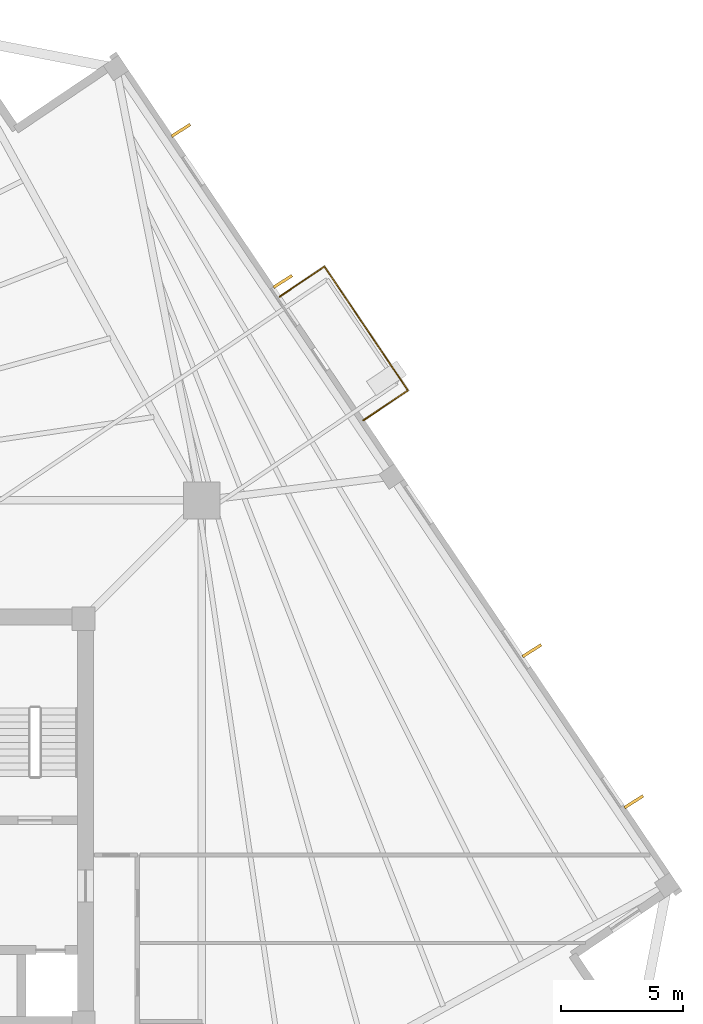
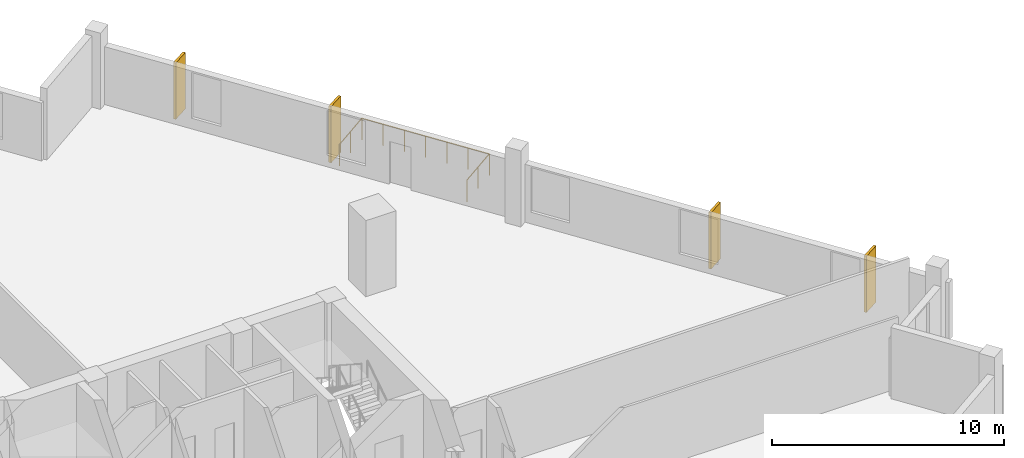
# One storey, part 9 of 9: 4 coverings, 3 railings.
"""IFC4 building model written with IfcOpenShell, lengths in metres."""

from ifc_helpers import new_model, si_unit, direction, frame, origin, origin_2d, place, context, subcontext, project, spatial, rectangle, circle, extrude, source, transform, mapped, material, layer, layer_set, type_object, element, save


model = new_model("IFC4")

# Units and contexts
model_context = context("Model", 3, precision=1e-05, world=origin(), true_north=direction((0.0, 1.0)))
body_context = subcontext(model_context, "Body", "Model", "MODEL_VIEW")
ifc_project = project(units=[si_unit("LENGTHUNIT", "METRE"), si_unit("AREAUNIT", "SQUARE_METRE"), si_unit("VOLUMEUNIT", "CUBIC_METRE"), si_unit("PLANEANGLEUNIT", "RADIAN"), si_unit("MASSUNIT", "GRAM", prefix="KILO"), si_unit("THERMODYNAMICTEMPERATUREUNIT", "KELVIN")], contexts=[model_context])

# Site, building, storey
site_placement = place(None, origin())
site = spatial("IfcSite", under=ifc_project, at=site_placement, CompositionType="ELEMENT")
building_placement = place(site_placement, origin())
building = spatial("IfcBuilding", under=site, at=building_placement, Name="Kosmvard Interchange Tower", CompositionType="ELEMENT")
storey_placement = place(building_placement, frame((0.0, 0.0, 156.39990234375)))
storey = spatial("IfcBuildingStorey", under=building, at=storey_placement, Name="L37", CompositionType="ELEMENT", Elevation=156.39990234375)

# Coverings
ifc_material_1 = material(Name="Architectural anodised aluminium", Category="aluminium")
ifc_layer = layer(ifc_material_1, 0.1201171875, Name="Architectural anodised aluminium")
ifc_layer_set = layer_set([ifc_layer], Name="Architectural anodised aluminium")
covering_type = type_object("IfcCoveringType", Name="Rotating Vertical Sun-Breaker Fin 900x120 Aluminium", PredefinedType="CLADDING", material=ifc_layer_set)
shared_shape_1 = source(origin(), body_context, "Body", "SweptSolid", [
    extrude(rectangle(XDim=0.89990234375, YDim=0.1201171875, at=origin_2d()), origin(), (0.0, 0.0, 1.0), 2.9599609375),
])
for number, where, z_axis, x_axis, name in (
    (1, (30.718994140625, 0.774169921875, 0.0400390625), (0.0, 0.0, 1.0), (0.844140835231, 0.536121488374, 0.0), "L37 Rotating Vertical Sun-Breaker Fin 05"),
    (2, (26.557861328125, 6.943115234375, 0.0400390625), (0.0, 0.0, 1.0), (0.844140835231, 0.536121488374, 0.0), "L37 Rotating Vertical Sun-Breaker Fin 06"),
    (3, (16.38623046875, 22.02294921875, 0.0400390625), (0.0, 0.0, 1.0), (0.844140835231, 0.536121488374, 0.0), "L37 Rotating Vertical Sun-Breaker Fin 07"),
    (4, (12.225341796875, 28.192138671875, 0.0400390625), (0.0, 0.0, 1.0), (0.844140835231, 0.536121488374, 0.0), "L37 Rotating Vertical Sun-Breaker Fin 08"),
):
    element("IfcCovering", number, at=place(storey_placement, frame(where, z_axis=z_axis, x_axis=x_axis)), inside=storey, type_object=covering_type, Name=name, PredefinedType="CLADDING", context=body_context, shape_type="MappedRepresentation", body=[
        mapped(shared_shape_1, transform((0.0, 0.0, 0.0), scale=1.0)),
    ])

# Railings
ifc_material_2 = material(Name="Steel S355", Category="steel")
railing_type = type_object("IfcRailingType", Name="Observation & Balcony Glass-Infill Balustrade 1150", PredefinedType="BALUSTRADE", material=ifc_material_2)
shared_shape_2 = source(origin(), body_context, "Body", "SweptSolid", [
    extrude(circle(Radius=0.02392578125, at=origin_2d()), frame((0.0, 0.0, 1.1259765625), z_axis=(0.829050594418, 0.559173597279, 0.0), x_axis=(-0.559173597279, 0.829050594418, 0.0)), (0.0, 0.0, 1.0), 2.2001953125),
    extrude(circle(Radius=0.02099609375, at=origin_2d()), origin(), (0.0, 0.0, 1.0), 1.101806640625),
    extrude(circle(Radius=0.02099609375, at=origin_2d()), frame((0.912109375, 0.615234375, 0.0)), (0.0, 0.0, 1.0), 1.101806640625),
    extrude(circle(Radius=0.02099609375, at=origin_2d()), frame((1.823974609375, 1.230224609375, 0.0)), (0.0, 0.0, 1.0), 1.101806640625),
])
railing_1_placement = place(storey_placement, frame((19.673095703125, 16.345458984375, 0.0)))
element("IfcRailing", 5, at=railing_1_placement, inside=storey, type_object=railing_type, Name="L37 Outdoor Terrace Guard BAL-L37-E-A", PredefinedType="BALUSTRADE", context=body_context, shape_type="MappedRepresentation", body=[
    mapped(shared_shape_2, transform((0.0, 0.0, 0.0), scale=1.0)),
])
shared_shape_3 = source(origin(), body_context, "Body", "SweptSolid", [
    extrude(circle(Radius=0.02392578125, at=origin_2d()), frame((0.0, 0.0, 1.1259765625), z_axis=(-0.55919924627, 0.829033294248, 0.0), x_axis=(-0.829033294248, -0.55919924627, 0.0)), (0.0, 0.0, 1.0), 6.10009765625),
    extrude(circle(Radius=0.02099609375, at=origin_2d()), origin(), (0.0, 0.0, 1.0), 1.101806640625),
    extrude(circle(Radius=0.02099609375, at=origin_2d()), frame((-0.568603515625, 0.8427734375, 0.0)), (0.0, 0.0, 1.0), 1.101806640625),
    extrude(circle(Radius=0.02099609375, at=origin_2d()), frame((-1.136962890625, 1.685791015625, 0.0)), (0.0, 0.0, 1.0), 1.101806640625),
    extrude(circle(Radius=0.02099609375, at=origin_2d()), frame((-1.70556640625, 2.528564453125, 0.0)), (0.0, 0.0, 1.0), 1.101806640625),
    extrude(circle(Radius=0.02099609375, at=origin_2d()), frame((-2.274169921875, 3.371337890625, 0.0)), (0.0, 0.0, 1.0), 1.101806640625),
    extrude(circle(Radius=0.02099609375, at=origin_2d()), frame((-2.842529296875, 4.21435546875, 0.0)), (0.0, 0.0, 1.0), 1.101806640625),
    extrude(circle(Radius=0.02099609375, at=origin_2d()), frame((-3.4111328125, 5.05712890625, 0.0)), (0.0, 0.0, 1.0), 1.101806640625),
])
railing_2_placement = place(storey_placement, frame((21.4970703125, 17.57568359375, 0.0)))
element("IfcRailing", 6, at=railing_2_placement, inside=storey, type_object=railing_type, Name="L37 Outdoor Terrace Guard BAL-L37-E-B", PredefinedType="BALUSTRADE", context=body_context, shape_type="MappedRepresentation", body=[
    mapped(shared_shape_3, transform((0.0, 0.0, 0.0), scale=1.0)),
])
shared_shape_4 = source(origin(), body_context, "Body", "SweptSolid", [
    extrude(circle(Radius=0.02392578125, at=origin_2d()), frame((0.0, 0.0, 1.1259765625), z_axis=(-0.829050594418, -0.559173597279, 0.0), x_axis=(0.559173597279, -0.829050594418, 0.0)), (0.0, 0.0, 1.0), 2.2001953125),
    extrude(circle(Radius=0.02099609375, at=origin_2d()), origin(), (0.0, 0.0, 1.0), 1.101806640625),
    extrude(circle(Radius=0.02099609375, at=origin_2d()), frame((-0.912109375, -0.615234375, 0.0)), (0.0, 0.0, 1.0), 1.101806640625),
    extrude(circle(Radius=0.02099609375, at=origin_2d()), frame((-1.823974609375, -1.230224609375, 0.0)), (0.0, 0.0, 1.0), 1.101806640625),
])
railing_3_placement = place(storey_placement, frame((18.0859375, 22.6328125, 0.0)))
element("IfcRailing", 7, at=railing_3_placement, inside=storey, type_object=railing_type, Name="L37 Outdoor Terrace Guard BAL-L37-E-C", PredefinedType="BALUSTRADE", context=body_context, shape_type="MappedRepresentation", body=[
    mapped(shared_shape_4, transform((0.0, 0.0, 0.0), scale=1.0)),
])

save(model, "model.ifc")
